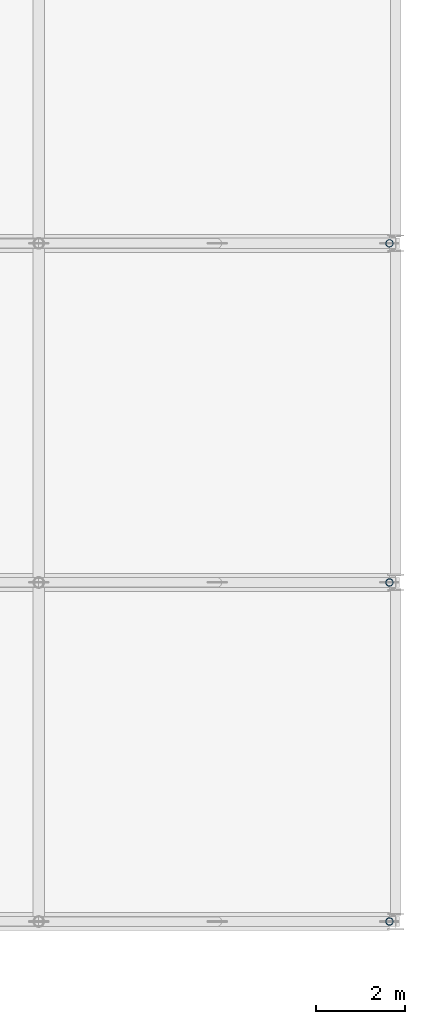
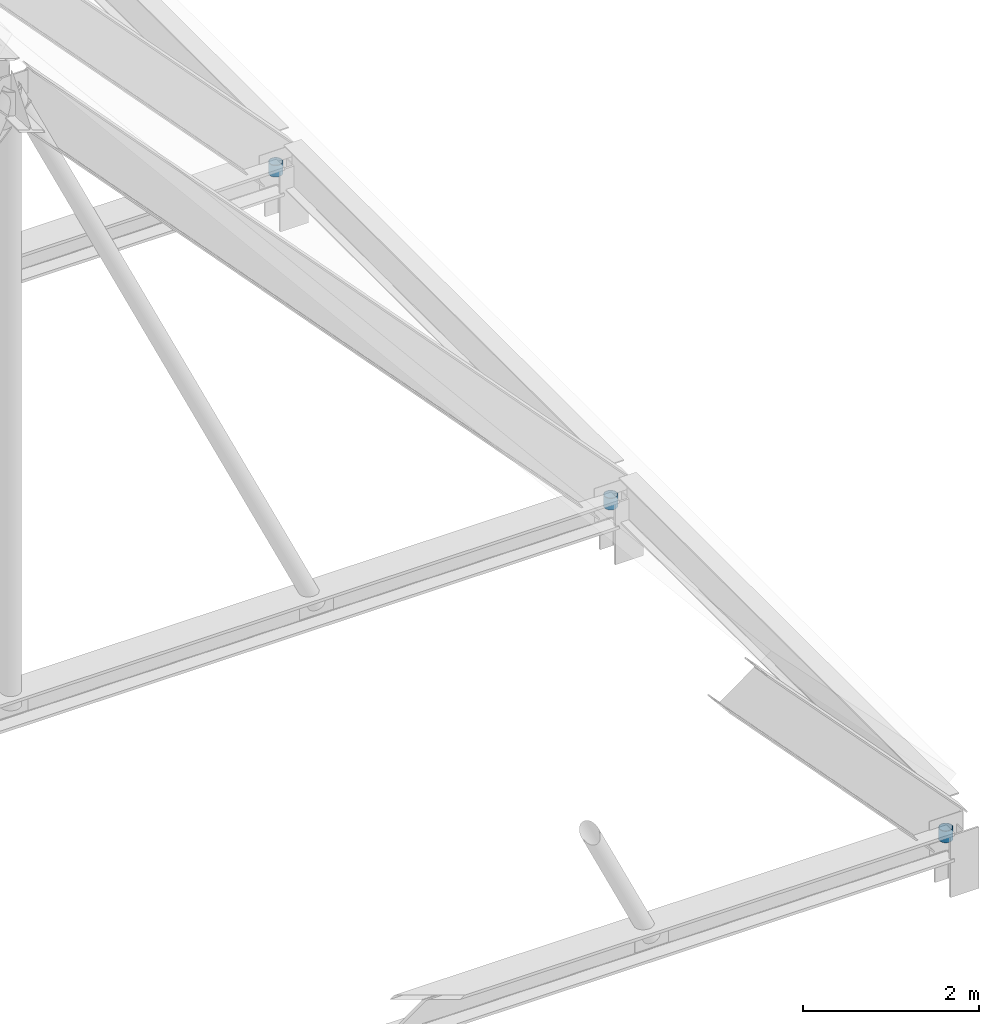
# One storey, part 69 of 100: 3 members.
"""IFC4 building model written with IfcOpenShell, lengths in metres."""

from ifc_helpers import new_model, si_unit, direction, frame, origin, origin_2d, place, context, subcontext, project, spatial, hollow_circle, extrude, material, material_profile, profile_set, type_object, element, save


model = new_model("IFC4")

# Units and contexts
model_context = context("Model", 3, precision=1e-05, world=origin(), true_north=direction((0.0, 1.0)))
body_context = subcontext(model_context, "Body", "Model", "MODEL_VIEW")
ifc_project = project(units=[si_unit("LENGTHUNIT", "METRE"), si_unit("AREAUNIT", "SQUARE_METRE"), si_unit("VOLUMEUNIT", "CUBIC_METRE"), si_unit("PLANEANGLEUNIT", "RADIAN"), si_unit("MASSUNIT", "GRAM", prefix="KILO")], contexts=[model_context])

# Site, building, storey
site_placement = place(None, origin())
site = spatial("IfcSite", under=ifc_project, at=site_placement, CompositionType="ELEMENT")
building_placement = place(site_placement, origin())
building = spatial("IfcBuilding", under=site, at=building_placement, Name="Zulena Civic Courthouse", CompositionType="ELEMENT")
storey_placement = place(building_placement, frame((0.0, 0.0, 20.39990234375)))
storey = spatial("IfcBuildingStorey", under=building, at=storey_placement, Name="L04", CompositionType="ELEMENT", Elevation=20.39990234375)

# Members
ifc_material = material(Name="Steel ASTM A500 Grade C", Category="steel")
ifc_material_profile = material_profile(ifc_material, hollow_circle(Radius=0.083984375, WallThickness=0.00732421875, at=origin_2d()), Name="HSS6.625X0.312")
ifc_profile_set = profile_set([ifc_material_profile], Name="Steel ASTM A500 Grade C")
member_type = type_object("IfcMemberType", Name="RoofWeb_CHS6", PredefinedType="USERDEFINED", material=ifc_profile_set)
for number, where, z_axis, x_axis, name in (
    (1, (171.860107421875, 0.0, 0.496337890625), (0.0, 0.0, 1.0), (1.0, 0.0, 0.0), "mem:fold:postE:07:0.0"),
    (2, (171.860107421875, 7.60009765625, 0.496337890625), (0.0, 0.0, 1.0), (1.0, 0.0, 0.0), "mem:fold:postE:07:7.6"),
    (3, (171.860107421875, 15.199951171875, 0.496337890625), (0.0, 0.0, 1.0), (1.0, 0.0, 0.0), "mem:fold:postE:07:15.2"),
):
    element("IfcMember", number, at=place(storey_placement, frame(where, z_axis=z_axis, x_axis=x_axis)), inside=storey, type_object=member_type, Name=name, ObjectType="ROOF TRUSS", PredefinedType="USERDEFINED", context=body_context, shape_type="SweptSolid", body=[
        extrude(hollow_circle(Radius=0.083984375, WallThickness=0.00732421875, at=origin_2d()), origin(), (0.0, 0.0, 1.0), 0.159912109375),
    ])

save(model, "model.ifc")
